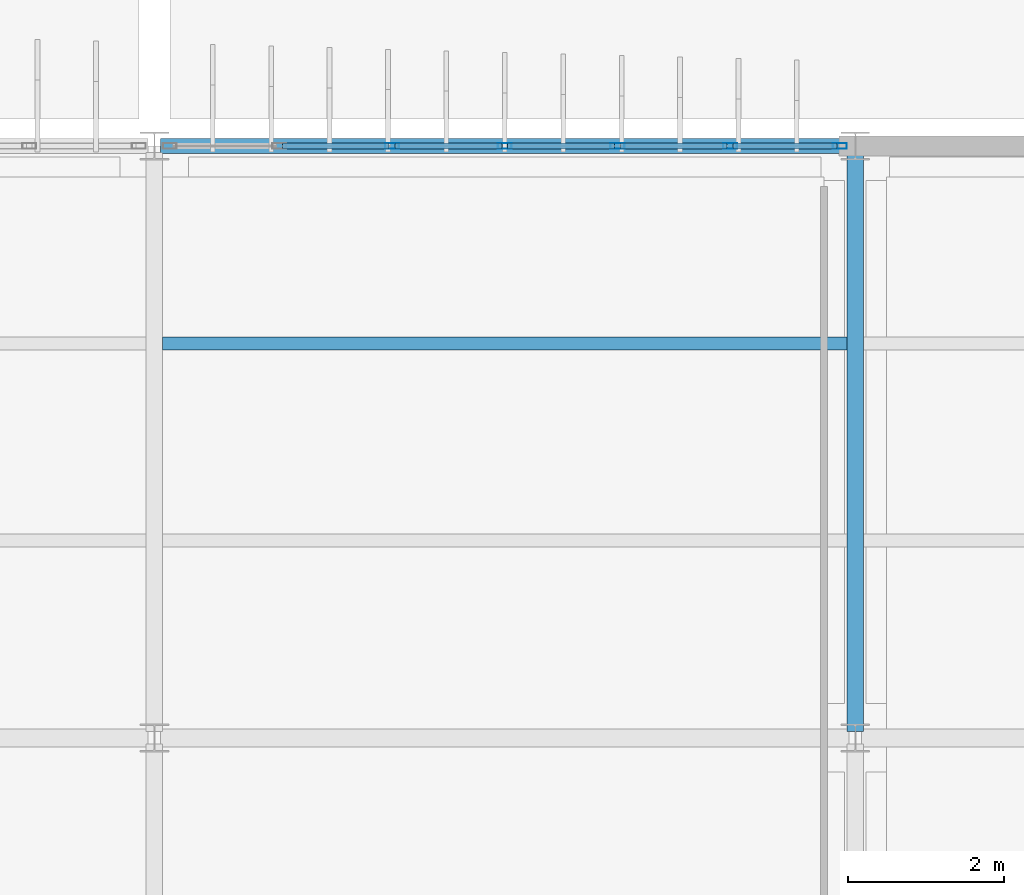
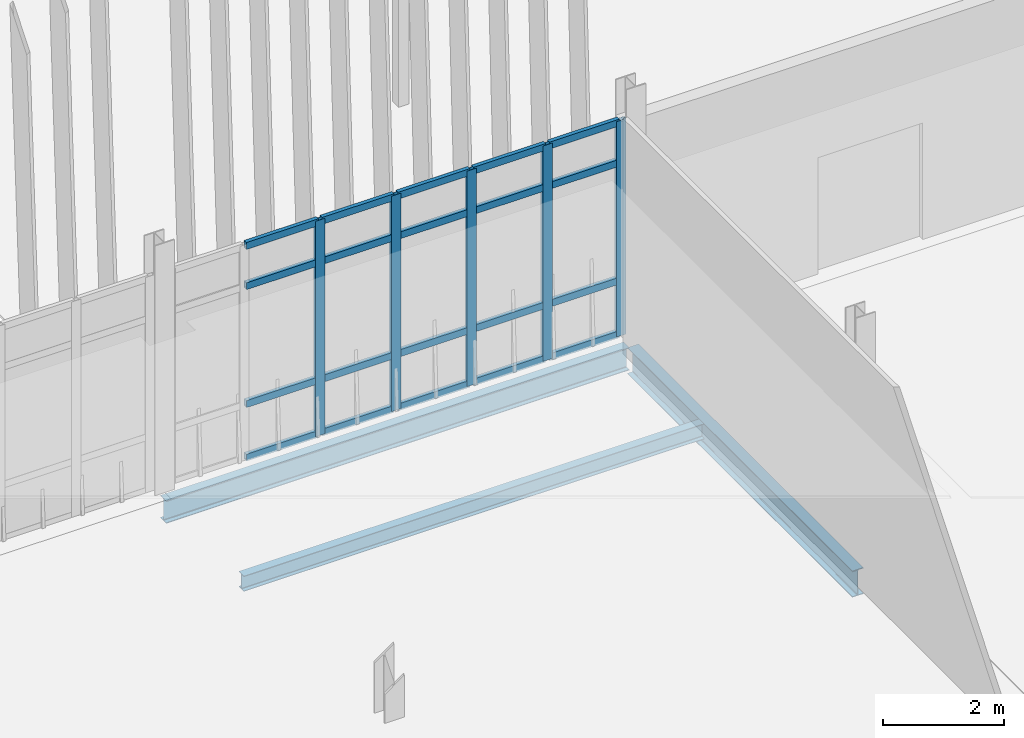
# One storey, part 53 of 161: 25 members, 3 beams, 1 element without a shape of its own.
"""IFC4 building model written with IfcOpenShell, lengths in metres."""

from ifc_helpers import new_model, si_unit, direction, frame, origin, origin_2d, place, context, subcontext, project, spatial, hollow_rectangle, i_section, extrude, material, material_profile, profile_set, type_object, element, aggregate, save


model = new_model("IFC4")

# Units and contexts
model_context = context("Model", 3, precision=1e-05, world=origin(), true_north=direction((0.0, 1.0)))
body_context = subcontext(model_context, "Body", "Model", "MODEL_VIEW")
ifc_project = project(units=[si_unit("LENGTHUNIT", "METRE"), si_unit("AREAUNIT", "SQUARE_METRE"), si_unit("VOLUMEUNIT", "CUBIC_METRE"), si_unit("PLANEANGLEUNIT", "RADIAN"), si_unit("MASSUNIT", "GRAM", prefix="KILO")], contexts=[model_context])

# Site, building, storey
site_placement = place(None, origin())
site = spatial("IfcSite", under=ifc_project, at=site_placement, CompositionType="ELEMENT")
building_placement = place(site_placement, origin())
building = spatial("IfcBuilding", under=site, at=building_placement, Name="Caisbarro Railhouse Central Library", CompositionType="ELEMENT")
storey_placement = place(building_placement, origin())
storey = spatial("IfcBuildingStorey", under=building, at=storey_placement, Name="L00", CompositionType="ELEMENT", Elevation=0.0)

# Beams
ifc_material_1 = material(Name="Steel ASTM A572 Grade 50", Category="steel")
ifc_material_profile_1 = material_profile(ifc_material_1, i_section(OverallWidth=0.208984375, OverallDepth=0.532958984375, WebThickness=0.01025390625, FlangeThickness=0.015625, FilletRadius=0.02001953125, at=origin_2d()), Name="W530X92.0")
ifc_profile_set_1 = profile_set([ifc_material_profile_1], Name="Steel ASTM A572 Grade 50")
beam_type_1 = type_object("IfcBeamType", Name="BM-G06", PredefinedType="BEAM", material=ifc_profile_set_1)
beam_1_placement = place(storey_placement, frame((63.0, 53.280029296875, -0.5166015625), z_axis=(0.0, 1.0, 0.0), x_axis=(-1.0, 0.0, 0.0)))
element("IfcBeam", 1, at=beam_1_placement, inside=storey, type_object=beam_type_1, Name="G06 beam L00 #314", PredefinedType="BEAM", context=body_context, shape_type="SweptSolid", body=[
    extrude(i_section(OverallWidth=0.208984375, OverallDepth=0.532958984375, WebThickness=0.01025390625, FlangeThickness=0.015625, FilletRadius=0.02001953125, at=origin_2d()), origin(), (0.0, 0.0, 1.0), 7.43994140625),
])
ifc_material_profile_2 = material_profile(ifc_material_1, i_section(OverallWidth=0.1650390625, OverallDepth=0.31005859375, WebThickness=0.005859375, FlangeThickness=0.009765625, FilletRadius=0.011962890625, at=origin_2d()), Name="W310X38.7")
ifc_profile_set_2 = profile_set([ifc_material_profile_2], Name="Steel ASTM A572 Grade 50")
beam_type_2 = type_object("IfcBeamType", Name="BM-J03", PredefinedType="JOIST", material=ifc_profile_set_2)
beam_2_placement = place(storey_placement, frame((54.1044921875, 58.2666015625, -0.405029296875), z_axis=(1.0, 0.0, 0.0), x_axis=(0.0, 1.0, 0.0)))
element("IfcBeam", 2, at=beam_2_placement, inside=storey, type_object=beam_type_2, Name="J03 beam L00 #372", PredefinedType="JOIST", context=body_context, shape_type="SweptSolid", body=[
    extrude(i_section(OverallWidth=0.1650390625, OverallDepth=0.31005859375, WebThickness=0.005859375, FlangeThickness=0.009765625, FilletRadius=0.011962890625, at=origin_2d()), origin(), (0.0, 0.0, 1.0), 8.791015625),
])
ifc_material_profile_3 = material_profile(ifc_material_1, i_section(OverallWidth=0.18994140625, OverallDepth=0.45703125, WebThickness=0.009033203125, FlangeThickness=0.014404296875, FilletRadius=0.01806640625, at=origin_2d()), Name="W460X74.0")
ifc_profile_set_3 = profile_set([ifc_material_profile_3], Name="Steel ASTM A572 Grade 50")
beam_type_3 = type_object("IfcBeamType", Name="BM-SP01", PredefinedType="SPANDREL", material=ifc_profile_set_3)
beam_3_placement = place(storey_placement, frame((54.080078125, 60.800048828125, -0.478515625), z_axis=(1.0, 0.0, 0.0), x_axis=(0.0, 1.0, 0.0)))
element("IfcBeam", 3, at=beam_3_placement, inside=storey, type_object=beam_type_3, Name="SP01 beam L00 #281", PredefinedType="SPANDREL", context=body_context, shape_type="SweptSolid", body=[
    extrude(i_section(OverallWidth=0.18994140625, OverallDepth=0.45703125, WebThickness=0.009033203125, FlangeThickness=0.014404296875, FilletRadius=0.01806640625, at=origin_2d()), origin(), (0.0, 0.0, 1.0), 8.83984375),
])

# Curtain wall, members
ifc_material_2 = material(Name="Anodised architectural aluminium", Category="aluminium")
curtain_wall_type = type_object("IfcCurtainWallType", Name="CW-CW01", PredefinedType="NOTDEFINED", material=ifc_material_2)
curtain_wall_placement = place(storey_placement, origin())
curtain_wall = element("IfcCurtainWall", 4, at=curtain_wall_placement, inside=storey, type_object=curtain_wall_type, Name="CW01 curtain wall L00 #17", PredefinedType="NOTDEFINED")
ifc_material_profile_4 = material_profile(ifc_material_2, hollow_rectangle(XDim=0.074951171875, YDim=0.179931640625, WallThickness=0.00439453125, at=origin_2d()), Name="ALU-MUL-75X180")
ifc_profile_set_4 = profile_set([ifc_material_profile_4], Name="Anodised architectural aluminium")
member_type_1 = type_object("IfcMemberType", Name="CWM-M01", PredefinedType="MULLION", material=ifc_profile_set_4)
member_1_placement = place(storey_placement, frame((57.05322265625, 60.800048828125, 0.0), z_axis=(0.0, 0.0, 1.0), x_axis=(0.0, 1.0, 0.0)))
member_1 = element("IfcMember", 5, at=member_1_placement, type_object=member_type_1, Name="CW01 mullion 3", PredefinedType="MULLION", context=body_context, shape_type="SweptSolid", body=[
    extrude(hollow_rectangle(XDim=0.074951171875, YDim=0.179931640625, WallThickness=0.00439453125, at=origin_2d()), origin(), (0.0, 0.0, 1.0), 4.35009765625),
])
member_2_placement = place(storey_placement, frame((58.5, 60.800048828125, 0.0), z_axis=(0.0, 0.0, 1.0), x_axis=(0.0, 1.0, 0.0)))
member_2 = element("IfcMember", 6, at=member_2_placement, type_object=member_type_1, Name="CW01 mullion 4", PredefinedType="MULLION", context=body_context, shape_type="SweptSolid", body=[
    extrude(hollow_rectangle(XDim=0.074951171875, YDim=0.179931640625, WallThickness=0.00439453125, at=origin_2d()), origin(), (0.0, 0.0, 1.0), 4.35009765625),
])
member_3_placement = place(storey_placement, frame((59.94677734375, 60.800048828125, 0.0), z_axis=(0.0, 0.0, 1.0), x_axis=(0.0, 1.0, 0.0)))
member_3 = element("IfcMember", 7, at=member_3_placement, type_object=member_type_1, Name="CW01 mullion 5", PredefinedType="MULLION", context=body_context, shape_type="SweptSolid", body=[
    extrude(hollow_rectangle(XDim=0.074951171875, YDim=0.179931640625, WallThickness=0.00439453125, at=origin_2d()), origin(), (0.0, 0.0, 1.0), 4.35009765625),
])
member_4_placement = place(storey_placement, frame((61.393310546875, 60.800048828125, 0.0), z_axis=(0.0, 0.0, 1.0), x_axis=(0.0, 1.0, 0.0)))
member_4 = element("IfcMember", 8, at=member_4_placement, type_object=member_type_1, Name="CW01 mullion 6", PredefinedType="MULLION", context=body_context, shape_type="SweptSolid", body=[
    extrude(hollow_rectangle(XDim=0.074951171875, YDim=0.179931640625, WallThickness=0.00439453125, at=origin_2d()), origin(), (0.0, 0.0, 1.0), 4.35009765625),
])
member_5_placement = place(storey_placement, frame((62.802490234375, 60.800048828125, 0.0), z_axis=(0.0, 0.0, 1.0), x_axis=(0.0, 1.0, 0.0)))
member_5 = element("IfcMember", 9, at=member_5_placement, type_object=member_type_1, Name="CW01 mullion 7", PredefinedType="MULLION", context=body_context, shape_type="SweptSolid", body=[
    extrude(hollow_rectangle(XDim=0.074951171875, YDim=0.179931640625, WallThickness=0.00439453125, at=origin_2d()), origin(), (0.0, 0.0, 1.0), 4.35009765625),
])
ifc_material_profile_5 = material_profile(ifc_material_2, hollow_rectangle(XDim=0.074951171875, YDim=0.139892578125, WallThickness=0.00390625, at=origin_2d()), Name="ALU-TRN-75X140")
ifc_profile_set_5 = profile_set([ifc_material_profile_5], Name="Anodised architectural aluminium")
member_type_2 = type_object("IfcMemberType", Name="CWT-T01", PredefinedType="USERDEFINED", material=ifc_profile_set_5)
member_6_placement = place(storey_placement, frame((55.644287109375, 60.800048828125, 0.03759765625), z_axis=(1.0, 0.0, 0.0), x_axis=(0.0, 1.0, 0.0)))
member_6 = element("IfcMember", 10, at=member_6_placement, type_object=member_type_2, Name="CW01 transom 2.1", ObjectType="TRANSOM", PredefinedType="USERDEFINED", context=body_context, shape_type="SweptSolid", body=[
    extrude(hollow_rectangle(XDim=0.074951171875, YDim=0.139892578125, WallThickness=0.00390625, at=origin_2d()), origin(), (0.0, 0.0, 1.0), 1.37158203125),
])
member_7_placement = place(storey_placement, frame((55.644287109375, 60.800048828125, 1.1201171875), z_axis=(1.0, 0.0, 0.0), x_axis=(0.0, 1.0, 0.0)))
member_7 = element("IfcMember", 11, at=member_7_placement, type_object=member_type_2, Name="CW01 transom 2.2", ObjectType="TRANSOM", PredefinedType="USERDEFINED", context=body_context, shape_type="SweptSolid", body=[
    extrude(hollow_rectangle(XDim=0.074951171875, YDim=0.139892578125, WallThickness=0.00390625, at=origin_2d()), origin(), (0.0, 0.0, 1.0), 1.37158203125),
])
member_8_placement = place(storey_placement, frame((55.644287109375, 60.800048828125, 3.5), z_axis=(1.0, 0.0, 0.0), x_axis=(0.0, 1.0, 0.0)))
member_8 = element("IfcMember", 12, at=member_8_placement, type_object=member_type_2, Name="CW01 transom 2.3", ObjectType="TRANSOM", PredefinedType="USERDEFINED", context=body_context, shape_type="SweptSolid", body=[
    extrude(hollow_rectangle(XDim=0.074951171875, YDim=0.139892578125, WallThickness=0.00390625, at=origin_2d()), origin(), (0.0, 0.0, 1.0), 1.37158203125),
])
member_9_placement = place(storey_placement, frame((55.644287109375, 60.800048828125, 4.3125), z_axis=(1.0, 0.0, 0.0), x_axis=(0.0, 1.0, 0.0)))
member_9 = element("IfcMember", 13, at=member_9_placement, type_object=member_type_2, Name="CW01 transom 2.4", ObjectType="TRANSOM", PredefinedType="USERDEFINED", context=body_context, shape_type="SweptSolid", body=[
    extrude(hollow_rectangle(XDim=0.074951171875, YDim=0.139892578125, WallThickness=0.00390625, at=origin_2d()), origin(), (0.0, 0.0, 1.0), 1.37158203125),
])
member_10_placement = place(storey_placement, frame((57.0908203125, 60.800048828125, 0.03759765625), z_axis=(1.0, 0.0, 0.0), x_axis=(0.0, 1.0, 0.0)))
member_10 = element("IfcMember", 14, at=member_10_placement, type_object=member_type_2, Name="CW01 transom 3.1", ObjectType="TRANSOM", PredefinedType="USERDEFINED", context=body_context, shape_type="SweptSolid", body=[
    extrude(hollow_rectangle(XDim=0.074951171875, YDim=0.139892578125, WallThickness=0.00390625, at=origin_2d()), origin(), (0.0, 0.0, 1.0), 1.37158203125),
])
member_11_placement = place(storey_placement, frame((57.0908203125, 60.800048828125, 1.1201171875), z_axis=(1.0, 0.0, 0.0), x_axis=(0.0, 1.0, 0.0)))
member_11 = element("IfcMember", 15, at=member_11_placement, type_object=member_type_2, Name="CW01 transom 3.2", ObjectType="TRANSOM", PredefinedType="USERDEFINED", context=body_context, shape_type="SweptSolid", body=[
    extrude(hollow_rectangle(XDim=0.074951171875, YDim=0.139892578125, WallThickness=0.00390625, at=origin_2d()), origin(), (0.0, 0.0, 1.0), 1.37158203125),
])
member_12_placement = place(storey_placement, frame((57.0908203125, 60.800048828125, 3.5), z_axis=(1.0, 0.0, 0.0), x_axis=(0.0, 1.0, 0.0)))
member_12 = element("IfcMember", 16, at=member_12_placement, type_object=member_type_2, Name="CW01 transom 3.3", ObjectType="TRANSOM", PredefinedType="USERDEFINED", context=body_context, shape_type="SweptSolid", body=[
    extrude(hollow_rectangle(XDim=0.074951171875, YDim=0.139892578125, WallThickness=0.00390625, at=origin_2d()), origin(), (0.0, 0.0, 1.0), 1.37158203125),
])
member_13_placement = place(storey_placement, frame((57.0908203125, 60.800048828125, 4.3125), z_axis=(1.0, 0.0, 0.0), x_axis=(0.0, 1.0, 0.0)))
member_13 = element("IfcMember", 17, at=member_13_placement, type_object=member_type_2, Name="CW01 transom 3.4", ObjectType="TRANSOM", PredefinedType="USERDEFINED", context=body_context, shape_type="SweptSolid", body=[
    extrude(hollow_rectangle(XDim=0.074951171875, YDim=0.139892578125, WallThickness=0.00390625, at=origin_2d()), origin(), (0.0, 0.0, 1.0), 1.37158203125),
])
member_14_placement = place(storey_placement, frame((58.53759765625, 60.800048828125, 0.03759765625), z_axis=(1.0, 0.0, 0.0), x_axis=(0.0, 1.0, 0.0)))
member_14 = element("IfcMember", 18, at=member_14_placement, type_object=member_type_2, Name="CW01 transom 4.1", ObjectType="TRANSOM", PredefinedType="USERDEFINED", context=body_context, shape_type="SweptSolid", body=[
    extrude(hollow_rectangle(XDim=0.074951171875, YDim=0.139892578125, WallThickness=0.00390625, at=origin_2d()), origin(), (0.0, 0.0, 1.0), 1.37158203125),
])
member_15_placement = place(storey_placement, frame((58.53759765625, 60.800048828125, 1.1201171875), z_axis=(1.0, 0.0, 0.0), x_axis=(0.0, 1.0, 0.0)))
member_15 = element("IfcMember", 19, at=member_15_placement, type_object=member_type_2, Name="CW01 transom 4.2", ObjectType="TRANSOM", PredefinedType="USERDEFINED", context=body_context, shape_type="SweptSolid", body=[
    extrude(hollow_rectangle(XDim=0.074951171875, YDim=0.139892578125, WallThickness=0.00390625, at=origin_2d()), origin(), (0.0, 0.0, 1.0), 1.37158203125),
])
member_16_placement = place(storey_placement, frame((58.53759765625, 60.800048828125, 3.5), z_axis=(1.0, 0.0, 0.0), x_axis=(0.0, 1.0, 0.0)))
member_16 = element("IfcMember", 20, at=member_16_placement, type_object=member_type_2, Name="CW01 transom 4.3", ObjectType="TRANSOM", PredefinedType="USERDEFINED", context=body_context, shape_type="SweptSolid", body=[
    extrude(hollow_rectangle(XDim=0.074951171875, YDim=0.139892578125, WallThickness=0.00390625, at=origin_2d()), origin(), (0.0, 0.0, 1.0), 1.37158203125),
])
member_17_placement = place(storey_placement, frame((58.53759765625, 60.800048828125, 4.3125), z_axis=(1.0, 0.0, 0.0), x_axis=(0.0, 1.0, 0.0)))
member_17 = element("IfcMember", 21, at=member_17_placement, type_object=member_type_2, Name="CW01 transom 4.4", ObjectType="TRANSOM", PredefinedType="USERDEFINED", context=body_context, shape_type="SweptSolid", body=[
    extrude(hollow_rectangle(XDim=0.074951171875, YDim=0.139892578125, WallThickness=0.00390625, at=origin_2d()), origin(), (0.0, 0.0, 1.0), 1.37158203125),
])
member_18_placement = place(storey_placement, frame((59.984130859375, 60.800048828125, 0.03759765625), z_axis=(1.0, 0.0, 0.0), x_axis=(0.0, 1.0, 0.0)))
member_18 = element("IfcMember", 22, at=member_18_placement, type_object=member_type_2, Name="CW01 transom 5.1", ObjectType="TRANSOM", PredefinedType="USERDEFINED", context=body_context, shape_type="SweptSolid", body=[
    extrude(hollow_rectangle(XDim=0.074951171875, YDim=0.139892578125, WallThickness=0.00390625, at=origin_2d()), origin(), (0.0, 0.0, 1.0), 1.37158203125),
])
member_19_placement = place(storey_placement, frame((59.984130859375, 60.800048828125, 1.1201171875), z_axis=(1.0, 0.0, 0.0), x_axis=(0.0, 1.0, 0.0)))
member_19 = element("IfcMember", 23, at=member_19_placement, type_object=member_type_2, Name="CW01 transom 5.2", ObjectType="TRANSOM", PredefinedType="USERDEFINED", context=body_context, shape_type="SweptSolid", body=[
    extrude(hollow_rectangle(XDim=0.074951171875, YDim=0.139892578125, WallThickness=0.00390625, at=origin_2d()), origin(), (0.0, 0.0, 1.0), 1.37158203125),
])
member_20_placement = place(storey_placement, frame((59.984130859375, 60.800048828125, 3.5), z_axis=(1.0, 0.0, 0.0), x_axis=(0.0, 1.0, 0.0)))
member_20 = element("IfcMember", 24, at=member_20_placement, type_object=member_type_2, Name="CW01 transom 5.3", ObjectType="TRANSOM", PredefinedType="USERDEFINED", context=body_context, shape_type="SweptSolid", body=[
    extrude(hollow_rectangle(XDim=0.074951171875, YDim=0.139892578125, WallThickness=0.00390625, at=origin_2d()), origin(), (0.0, 0.0, 1.0), 1.37158203125),
])
member_21_placement = place(storey_placement, frame((59.984130859375, 60.800048828125, 4.3125), z_axis=(1.0, 0.0, 0.0), x_axis=(0.0, 1.0, 0.0)))
member_21 = element("IfcMember", 25, at=member_21_placement, type_object=member_type_2, Name="CW01 transom 5.4", ObjectType="TRANSOM", PredefinedType="USERDEFINED", context=body_context, shape_type="SweptSolid", body=[
    extrude(hollow_rectangle(XDim=0.074951171875, YDim=0.139892578125, WallThickness=0.00390625, at=origin_2d()), origin(), (0.0, 0.0, 1.0), 1.37158203125),
])
member_22_placement = place(storey_placement, frame((61.430908203125, 60.800048828125, 0.03759765625), z_axis=(1.0, 0.0, 0.0), x_axis=(0.0, 1.0, 0.0)))
member_22 = element("IfcMember", 26, at=member_22_placement, type_object=member_type_2, Name="CW01 transom 6.1", ObjectType="TRANSOM", PredefinedType="USERDEFINED", context=body_context, shape_type="SweptSolid", body=[
    extrude(hollow_rectangle(XDim=0.074951171875, YDim=0.139892578125, WallThickness=0.00390625, at=origin_2d()), origin(), (0.0, 0.0, 1.0), 1.333984375),
])
member_23_placement = place(storey_placement, frame((61.430908203125, 60.800048828125, 1.1201171875), z_axis=(1.0, 0.0, 0.0), x_axis=(0.0, 1.0, 0.0)))
member_23 = element("IfcMember", 27, at=member_23_placement, type_object=member_type_2, Name="CW01 transom 6.2", ObjectType="TRANSOM", PredefinedType="USERDEFINED", context=body_context, shape_type="SweptSolid", body=[
    extrude(hollow_rectangle(XDim=0.074951171875, YDim=0.139892578125, WallThickness=0.00390625, at=origin_2d()), origin(), (0.0, 0.0, 1.0), 1.333984375),
])
member_24_placement = place(storey_placement, frame((61.430908203125, 60.800048828125, 3.5), z_axis=(1.0, 0.0, 0.0), x_axis=(0.0, 1.0, 0.0)))
member_24 = element("IfcMember", 28, at=member_24_placement, type_object=member_type_2, Name="CW01 transom 6.3", ObjectType="TRANSOM", PredefinedType="USERDEFINED", context=body_context, shape_type="SweptSolid", body=[
    extrude(hollow_rectangle(XDim=0.074951171875, YDim=0.139892578125, WallThickness=0.00390625, at=origin_2d()), origin(), (0.0, 0.0, 1.0), 1.333984375),
])
member_25_placement = place(storey_placement, frame((61.430908203125, 60.800048828125, 4.3125), z_axis=(1.0, 0.0, 0.0), x_axis=(0.0, 1.0, 0.0)))
member_25 = element("IfcMember", 29, at=member_25_placement, type_object=member_type_2, Name="CW01 transom 6.4", ObjectType="TRANSOM", PredefinedType="USERDEFINED", context=body_context, shape_type="SweptSolid", body=[
    extrude(hollow_rectangle(XDim=0.074951171875, YDim=0.139892578125, WallThickness=0.00390625, at=origin_2d()), origin(), (0.0, 0.0, 1.0), 1.333984375),
])
aggregate(curtain_wall, [member_1, member_2, member_3, member_4, member_5, member_6, member_7, member_8, member_9, member_10, member_11, member_12, member_13, member_14, member_15, member_16, member_17, member_18, member_19, member_20, member_21, member_22, member_23, member_24, member_25])

save(model, "model.ifc")
